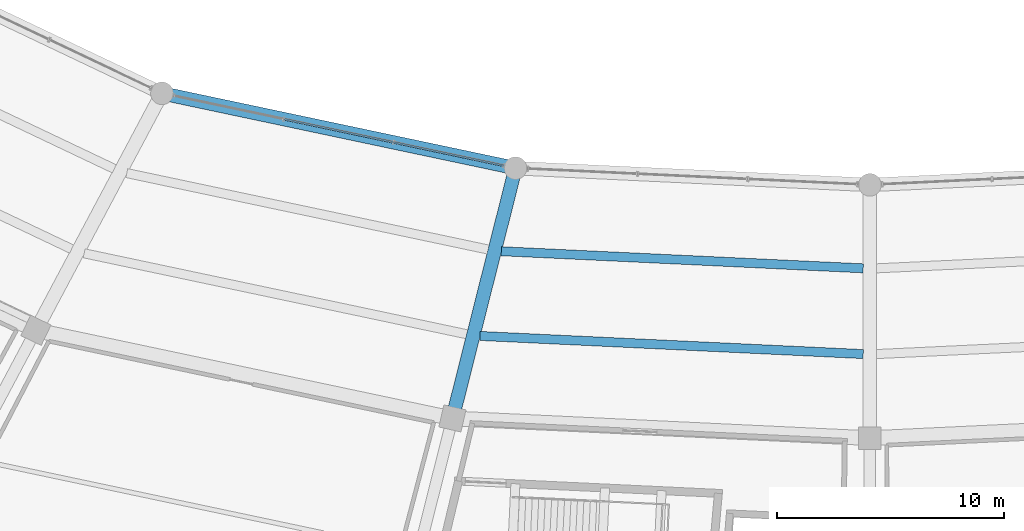
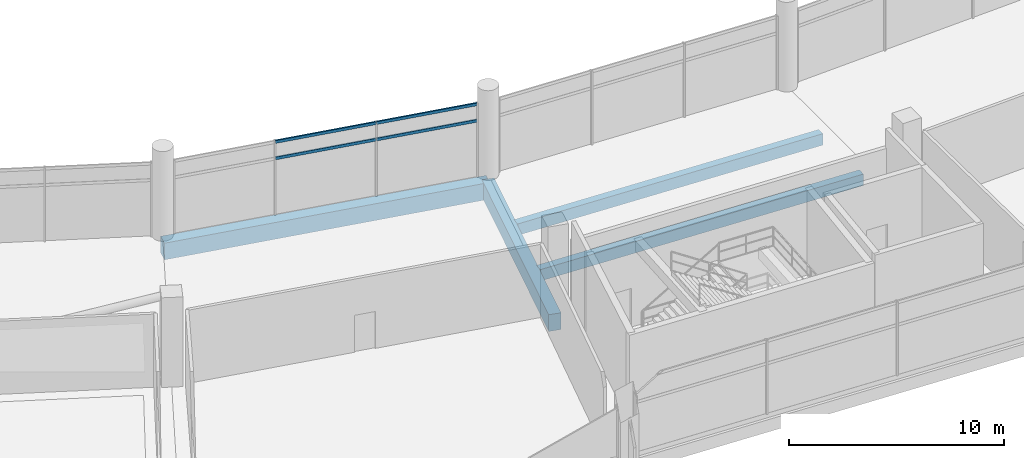
# One storey, part 25 of 184: 4 beams, 4 members, 1 element without a shape of its own.
"""IFC4 building model written with IfcOpenShell, lengths in metres."""

from ifc_helpers import new_model, si_unit, direction, frame, origin, origin_2d, place, context, subcontext, project, spatial, rectangle, hollow_rectangle, extrude, material, layer, layer_set, material_profile, profile_set, type_object, element, aggregate, save


model = new_model("IFC4")

# Units and contexts
model_context = context("Model", 3, precision=1e-05, world=origin(), true_north=direction((0.0, 1.0)))
body_context = subcontext(model_context, "Body", "Model", "MODEL_VIEW")
ifc_project = project(units=[si_unit("LENGTHUNIT", "METRE"), si_unit("AREAUNIT", "SQUARE_METRE"), si_unit("VOLUMEUNIT", "CUBIC_METRE"), si_unit("PLANEANGLEUNIT", "RADIAN"), si_unit("MASSUNIT", "GRAM", prefix="KILO")], contexts=[model_context])

# Site, building, storey
site_placement = place(None, origin())
site = spatial("IfcSite", under=ifc_project, at=site_placement, CompositionType="ELEMENT")
building_placement = place(site_placement, origin())
building = spatial("IfcBuilding", under=site, at=building_placement, Name="Kazemori Nagisa Stadium", CompositionType="ELEMENT")
storey_placement = place(building_placement, frame((0.0, 0.0, 10.5400390625)))
storey = spatial("IfcBuildingStorey", under=building, at=storey_placement, Name="L02", CompositionType="ELEMENT", Elevation=10.5400390625)

# Beams
ifc_material_1 = material(Name="Concrete C40/50 (Fc42)", Category="concrete")
ifc_material_profile_1 = material_profile(ifc_material_1, rectangle(XDim=0.60009765625, YDim=0.949951171875, at=origin_2d()), Name="RC-BM-600x950")
ifc_profile_set_1 = profile_set([ifc_material_profile_1], Name="Concrete C40/50 (Fc42)")
beam_type_1 = type_object("IfcBeamType", Name="Beam_BG-RC600X950", PredefinedType="BEAM", material=ifc_profile_set_1)
beam_1_placement = place(storey_placement, frame((91.75244140625, 43.260986328125, -0.735107421875), z_axis=(0.978348272746, -0.206965352692, 0.0), x_axis=(0.206965352692, 0.978348272746, 0.0)))
element("IfcBeam", 1, at=beam_1_placement, inside=storey, type_object=beam_type_1, Name="Ring girder BG-RC600X950 L02 R1-20", PredefinedType="BEAM", context=body_context, shape_type="SweptSolid", body=[
    extrude(rectangle(XDim=0.60009765625, YDim=0.949951171875, at=origin_2d()), origin(), (0.0, 0.0, 1.0), 15.950927734375),
])
beam_2_placement = place(storey_placement, frame((107.35791015625, 39.959716796875, -0.735107421875), z_axis=(-0.244481205955, -0.969654031052, 0.0), x_axis=(0.969654031052, -0.244481205955, 0.0)))
element("IfcBeam", 2, at=beam_2_placement, inside=storey, type_object=beam_type_1, Name="Radial girder BG-RC600X950 L02 R1-R2-21", PredefinedType="BEAM", context=body_context, shape_type="SweptSolid", body=[
    extrude(rectangle(XDim=0.60009765625, YDim=0.949951171875, at=origin_2d()), origin(), (0.0, 0.0, 1.0), 11.39404296875),
])
ifc_material_profile_2 = material_profile(ifc_material_1, rectangle(XDim=0.39990234375, YDim=0.64990234375, at=origin_2d()), Name="RC-BM-400x650")
ifc_profile_set_2 = profile_set([ifc_material_profile_2], Name="Concrete C40/50 (Fc42)")
beam_type_2 = type_object("IfcBeamType", Name="Beam_BJ-RC400X650", PredefinedType="JOIST", material=ifc_profile_set_2)
beam_3_placement = place(storey_placement, frame((106.73095703125, 36.291259765625, -0.5849609375), z_axis=(0.998883867028, -0.047233676462, 0.0), x_axis=(0.047233676462, 0.998883867028, 0.0)))
element("IfcBeam", 3, at=beam_3_placement, inside=storey, type_object=beam_type_2, Name="Concourse joist BJ-RC400X650 L02 B21-1", PredefinedType="JOIST", context=body_context, shape_type="SweptSolid", body=[
    extrude(rectangle(XDim=0.39990234375, YDim=0.64990234375, at=origin_2d()), origin(), (0.0, 0.0, 1.0), 15.9921875),
])
beam_4_placement = place(storey_placement, frame((105.788330078125, 32.5517578125, -0.5849609375), z_axis=(0.998884256715, -0.047225434754, 0.0), x_axis=(0.047225434754, 0.998884256715, 0.0)))
element("IfcBeam", 4, at=beam_4_placement, inside=storey, type_object=beam_type_2, Name="Concourse joist BJ-RC400X650 L02 B21-2", PredefinedType="JOIST", context=body_context, shape_type="SweptSolid", body=[
    extrude(rectangle(XDim=0.39990234375, YDim=0.64990234375, at=origin_2d()), origin(), (0.0, 0.0, 1.0), 16.935791015625),
])

# Curtain wall, members
ifc_material_2 = material(Name="Anodised aluminium 6063-T5", Category="aluminium")
ifc_layer = layer(ifc_material_2, 0.2099609375, Name="Anodised aluminium 6063-T5", Category="aluminium")
ifc_layer_set = layer_set([ifc_layer], Name="Anodised aluminium 6063-T5")
curtain_wall_type = type_object("IfcCurtainWallType", Name="CW_L02B_75", PredefinedType="USERDEFINED", material=ifc_layer_set)
curtain_wall_placement = place(storey_placement, origin())
curtain_wall = element("IfcCurtainWall", 5, at=curtain_wall_placement, inside=storey, type_object=curtain_wall_type, Name="Unitised curtain wall CW-L02B-75 L02", ObjectType="UNITISED CURTAIN WALL", PredefinedType="USERDEFINED")
ifc_material_3 = material(Name="Aluminium 6063-T5 anodised", Category="aluminium")
ifc_material_profile_3 = material_profile(ifc_material_3, hollow_rectangle(XDim=0.080078125, YDim=0.159912109375, WallThickness=0.00390625, at=origin_2d()), Name="ALU-TRAN-80x160x4")
ifc_profile_set_3 = profile_set([ifc_material_profile_3], Name="Aluminium 6063-T5 anodised")
member_type = type_object("IfcMemberType", Name="Transom_T02", PredefinedType="USERDEFINED", material=ifc_profile_set_3)
member_1_placement = place(storey_placement, frame((97.1484375, 42.11962890625, 3.184326171875), z_axis=(0.978336562441, -0.207020700878, 0.0), x_axis=(0.207020700878, 0.978336562441, 0.0)))
member_1 = element("IfcMember", 6, at=member_1_placement, type_object=member_type, Name="Curtain wall transom CW-L02B-75-T2-mid", ObjectType="TRANSOM", PredefinedType="USERDEFINED", context=body_context, shape_type="SweptSolid", body=[
    extrude(hollow_rectangle(XDim=0.080078125, YDim=0.159912109375, WallThickness=0.00390625, at=origin_2d()), origin(), (0.0, 0.0, 1.0), 4.920166015625),
])
member_2_placement = place(storey_placement, frame((97.1484375, 42.11962890625, 4.119873046875), z_axis=(0.978336562441, -0.207020700878, 0.0), x_axis=(0.207020700878, 0.978336562441, 0.0)))
member_2 = element("IfcMember", 7, at=member_2_placement, type_object=member_type, Name="Curtain wall transom CW-L02B-75-T2-head", ObjectType="TRANSOM", PredefinedType="USERDEFINED", context=body_context, shape_type="SweptSolid", body=[
    extrude(hollow_rectangle(XDim=0.080078125, YDim=0.159912109375, WallThickness=0.00390625, at=origin_2d()), origin(), (0.0, 0.0, 1.0), 4.920166015625),
])
member_3_placement = place(storey_placement, frame((102.001220703125, 41.0927734375, 3.184326171875), z_axis=(0.978346611518, -0.206973205348, 0.0), x_axis=(0.206973205348, 0.978346611518, 0.0)))
member_3 = element("IfcMember", 8, at=member_3_placement, type_object=member_type, Name="Curtain wall transom CW-L02B-75-T3-mid", ObjectType="TRANSOM", PredefinedType="USERDEFINED", context=body_context, shape_type="SweptSolid", body=[
    extrude(hollow_rectangle(XDim=0.080078125, YDim=0.159912109375, WallThickness=0.00390625, at=origin_2d()), origin(), (0.0, 0.0, 1.0), 4.919921875),
])
member_4_placement = place(storey_placement, frame((102.001220703125, 41.0927734375, 4.119873046875), z_axis=(0.978346611518, -0.206973205348, 0.0), x_axis=(0.206973205348, 0.978346611518, 0.0)))
member_4 = element("IfcMember", 9, at=member_4_placement, type_object=member_type, Name="Curtain wall transom CW-L02B-75-T3-head", ObjectType="TRANSOM", PredefinedType="USERDEFINED", context=body_context, shape_type="SweptSolid", body=[
    extrude(hollow_rectangle(XDim=0.080078125, YDim=0.159912109375, WallThickness=0.00390625, at=origin_2d()), origin(), (0.0, 0.0, 1.0), 4.919921875),
])
aggregate(curtain_wall, [member_1, member_2, member_3, member_4])

save(model, "model.ifc")
